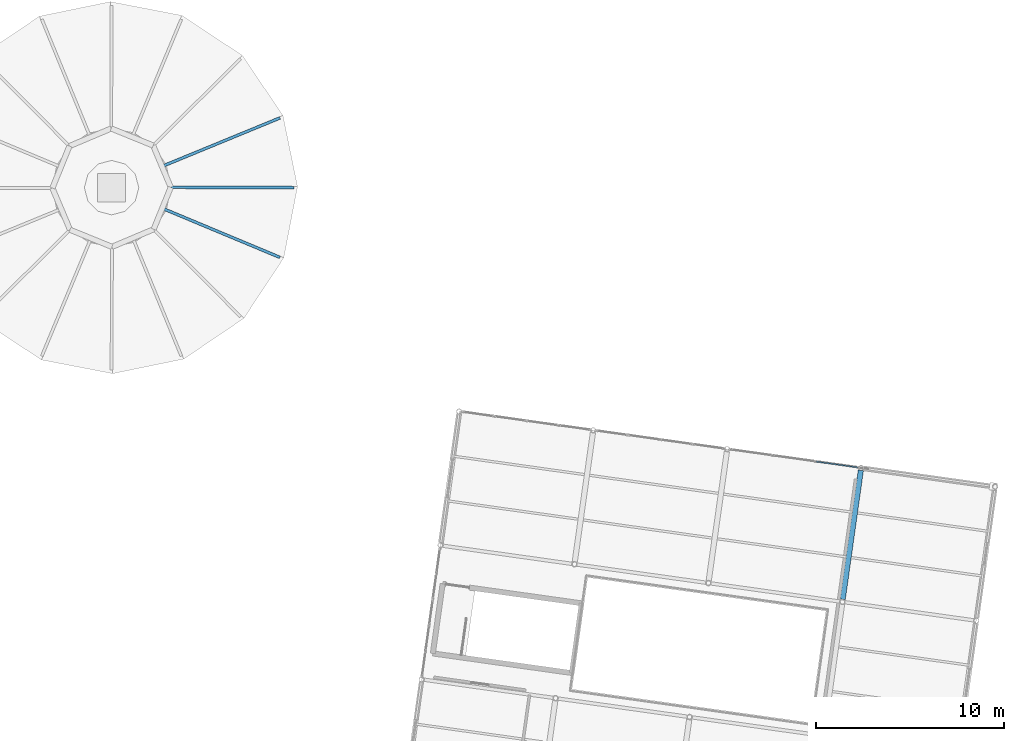
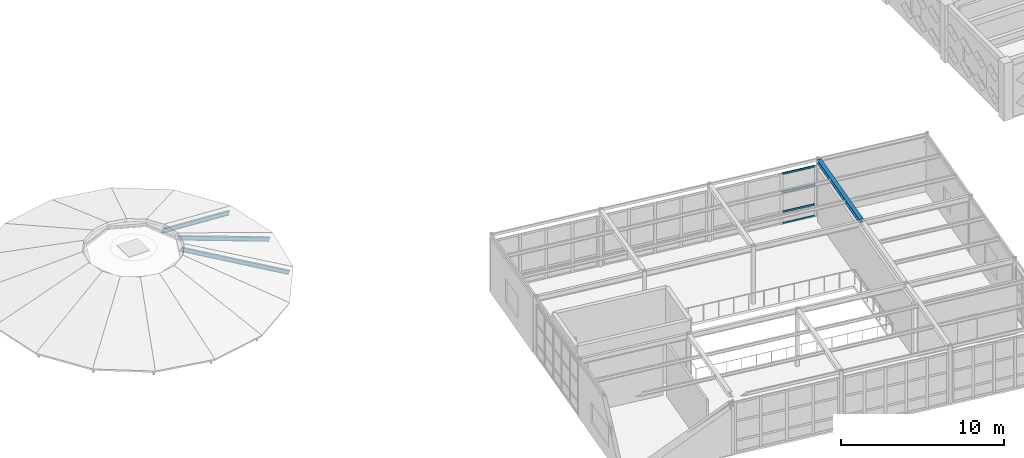
# One storey, part 30 of 67: 4 beams, 4 members, 1 element without a shape of its own.
"""IFC4 building model written with IfcOpenShell, lengths in metres."""

from ifc_helpers import new_model, si_unit, direction, frame, origin, origin_2d, place, context, subcontext, project, spatial, hollow_rectangle, i_section, extrude, material, layer, layer_set, material_profile, profile_set, type_object, element, aggregate, save


model = new_model("IFC4")

# Units and contexts
model_context = context("Model", 3, precision=1e-05, world=origin(), true_north=direction((0.0, 1.0)))
body_context = subcontext(model_context, "Body", "Model", "MODEL_VIEW")
ifc_project = project(units=[si_unit("LENGTHUNIT", "METRE"), si_unit("AREAUNIT", "SQUARE_METRE"), si_unit("VOLUMEUNIT", "CUBIC_METRE"), si_unit("PLANEANGLEUNIT", "RADIAN"), si_unit("MASSUNIT", "GRAM", prefix="KILO")], contexts=[model_context])

# Site, building, storey
site_placement = place(None, origin())
site = spatial("IfcSite", under=ifc_project, at=site_placement, CompositionType="ELEMENT")
building_placement = place(site_placement, origin())
building = spatial("IfcBuilding", under=site, at=building_placement, Name="Kharisveld Research Institute", CompositionType="ELEMENT")
storey_placement = place(building_placement, frame((0.0, 0.0, 9.60009765625)))
storey = spatial("IfcBuildingStorey", under=building, at=storey_placement, Name="L02", CompositionType="ELEMENT", Elevation=9.60009765625)

# Beams
ifc_material_1 = material(Name="Steel S355JR", Category="steel")
ifc_material_profile_1 = material_profile(ifc_material_1, i_section(OverallWidth=0.280029296875, OverallDepth=0.27001953125, WebThickness=0.008056640625, FlangeThickness=0.012939453125, at=origin_2d()))
ifc_profile_set_1 = profile_set([ifc_material_profile_1], Name="Steel S355JR")
beam_type_1 = type_object("IfcBeamType", Name="BM_ST_HEA280", PredefinedType="BEAM", material=ifc_profile_set_1)
beam_1_placement = place(storey_placement, frame((98.412841796875, 28.888916015625, 4.169921875), z_axis=(0.139180848611, 0.990266979849, 0.0), x_axis=(-0.990266979849, 0.139180848611, 0.0)))
element("IfcBeam", 1, at=beam_1_placement, inside=storey, type_object=beam_type_1, Name="BM:V4:L02:V3_2", PredefinedType="BEAM", context=body_context, shape_type="SweptSolid", body=[
    extrude(i_section(OverallWidth=0.280029296875, OverallDepth=0.27001953125, WebThickness=0.008056640625, FlangeThickness=0.012939453125, at=origin_2d()), origin(), (0.0, 0.0, 1.0), 6.927001953125),
])
ifc_material_2 = material(Name="Steel S355JR", Category="steel")
ifc_material_profile_2 = material_profile(ifc_material_2, i_section(OverallWidth=0.14990234375, OverallDepth=0.300048828125, WebThickness=0.007080078125, FlangeThickness=0.0107421875, at=origin_2d()))
ifc_profile_set_2 = profile_set([ifc_material_profile_2], Name="Steel S355JR")
beam_type_2 = type_object("IfcBeamType", Name="BM_ST_IPE300", PredefinedType="BEAM", material=ifc_profile_set_2)
beam_2_placement = place(storey_placement, frame((69.14990234375, 50.800048828125, -0.22998046875), z_axis=(-0.939964881888, 0.002789108536, 0.34125978622), x_axis=(-0.002967234534, -0.99999559775, 0.0)))
element("IfcBeam", 2, at=beam_2_placement, inside=storey, type_object=beam_type_2, Name="BM:V6:L02:RAD00", PredefinedType="BEAM", context=body_context, shape_type="SweptSolid", body=[
    extrude(i_section(OverallWidth=0.14990234375, OverallDepth=0.300048828125, WebThickness=0.007080078125, FlangeThickness=0.0107421875, at=origin_2d()), origin(), (0.0, 0.0, 1.0), 6.9150390625),
])
beam_3_placement = place(storey_placement, frame((68.41552734375, 54.492919921875, -0.22998046875), z_axis=(-0.872928099861, -0.358873859877, 0.33046343999), x_axis=(0.380235975778, -0.924889508387, 0.0)))
element("IfcBeam", 3, at=beam_3_placement, inside=storey, type_object=beam_type_2, Name="BM:V6:L02:RAD01", PredefinedType="BEAM", context=body_context, shape_type="SweptSolid", body=[
    extrude(i_section(OverallWidth=0.14990234375, OverallDepth=0.300048828125, WebThickness=0.007080078125, FlangeThickness=0.0107421875, at=origin_2d()), origin(), (0.0, 0.0, 1.0), 7.14111328125),
])
beam_4_placement = place(storey_placement, frame((68.41552734375, 47.107177734375, -0.22998046875), z_axis=(-0.871026492795, 0.363460479841, 0.330468347111), x_axis=(-0.38509631725, -0.922876387411, 0.0)))
element("IfcBeam", 4, at=beam_4_placement, inside=storey, type_object=beam_type_2, Name="BM:V6:L02:RAD15", PredefinedType="BEAM", context=body_context, shape_type="SweptSolid", body=[
    extrude(i_section(OverallWidth=0.14990234375, OverallDepth=0.300048828125, WebThickness=0.007080078125, FlangeThickness=0.0107421875, at=origin_2d()), origin(), (0.0, 0.0, 1.0), 7.140869140625),
])

# Curtain wall, members
ifc_material_3 = material(Name="Thermally Broken Aluminium Curtain Wall", Category="aluminium")
ifc_layer = layer(ifc_material_3, 0.159912109375)
ifc_layer_set = layer_set([ifc_layer], Name="CW_SYS_06")
curtain_wall_type = type_object("IfcCurtainWallType", Name="CW_SYS_06", PredefinedType="NOTDEFINED", material=ifc_layer_set)
curtain_wall_placement = place(storey_placement, origin())
curtain_wall = element("IfcCurtainWall", 5, at=curtain_wall_placement, inside=storey, type_object=curtain_wall_type, Name="CW:V4:L02:N2", PredefinedType="NOTDEFINED")
ifc_material_4 = material(Name="Anodised Aluminium AW-6063-T6", Category="aluminium")
ifc_material_profile_3 = material_profile(ifc_material_4, hollow_rectangle(XDim=0.06494140625, YDim=0.139892578125, WallThickness=0.00390625, at=origin_2d()))
ifc_profile_set_3 = profile_set([ifc_material_profile_3], Name="Anodised Aluminium AW-6063-T6")
member_type = type_object("IfcMemberType", Name="CW_TRN_140", PredefinedType="USERDEFINED", material=ifc_profile_set_3)
member_1_placement = place(storey_placement, frame((97.010498046875, 36.218994140625, 0.032470703125), z_axis=(0.990256817155, -0.139253136691, 0.0), x_axis=(0.139253136691, 0.990256817155, 0.0)))
member_1 = element("IfcMember", 6, at=member_1_placement, type_object=member_type, Name="CW-06 transom 3.1", ObjectType="TRANSOM", PredefinedType="USERDEFINED", context=body_context, shape_type="SweptSolid", body=[
    extrude(hollow_rectangle(XDim=0.06494140625, YDim=0.139892578125, WallThickness=0.00390625, at=origin_2d()), origin(), (0.0, 0.0, 1.0), 2.207275390625),
])
member_2_placement = place(storey_placement, frame((97.010498046875, 36.218994140625, 0.89990234375), z_axis=(0.990256817155, -0.139253136691, 0.0), x_axis=(0.139253136691, 0.990256817155, 0.0)))
member_2 = element("IfcMember", 7, at=member_2_placement, type_object=member_type, Name="CW-06 transom 3.2", ObjectType="TRANSOM", PredefinedType="USERDEFINED", context=body_context, shape_type="SweptSolid", body=[
    extrude(hollow_rectangle(XDim=0.06494140625, YDim=0.139892578125, WallThickness=0.00390625, at=origin_2d()), origin(), (0.0, 0.0, 1.0), 2.207275390625),
])
member_3_placement = place(storey_placement, frame((97.010498046875, 36.218994140625, 2.349853515625), z_axis=(0.990256817155, -0.139253136691, 0.0), x_axis=(0.139253136691, 0.990256817155, 0.0)))
member_3 = element("IfcMember", 8, at=member_3_placement, type_object=member_type, Name="CW-06 transom 3.3", ObjectType="TRANSOM", PredefinedType="USERDEFINED", context=body_context, shape_type="SweptSolid", body=[
    extrude(hollow_rectangle(XDim=0.06494140625, YDim=0.139892578125, WallThickness=0.00390625, at=origin_2d()), origin(), (0.0, 0.0, 1.0), 2.207275390625),
])
member_4_placement = place(storey_placement, frame((97.010498046875, 36.218994140625, 3.747314453125), z_axis=(0.990256817155, -0.139253136691, 0.0), x_axis=(0.139253136691, 0.990256817155, 0.0)))
member_4 = element("IfcMember", 9, at=member_4_placement, type_object=member_type, Name="CW-06 transom 3.4", ObjectType="TRANSOM", PredefinedType="USERDEFINED", context=body_context, shape_type="SweptSolid", body=[
    extrude(hollow_rectangle(XDim=0.06494140625, YDim=0.139892578125, WallThickness=0.00390625, at=origin_2d()), origin(), (0.0, 0.0, 1.0), 2.207275390625),
])
aggregate(curtain_wall, [member_1, member_2, member_3, member_4])

save(model, "model.ifc")
